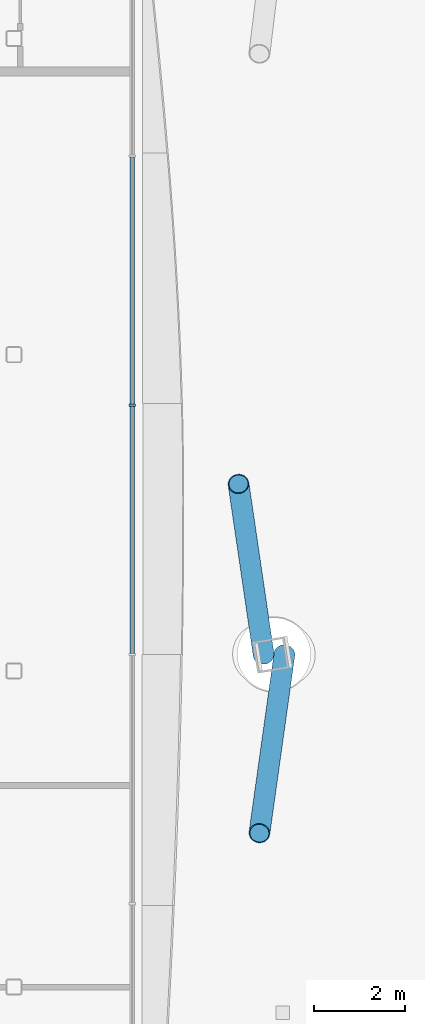
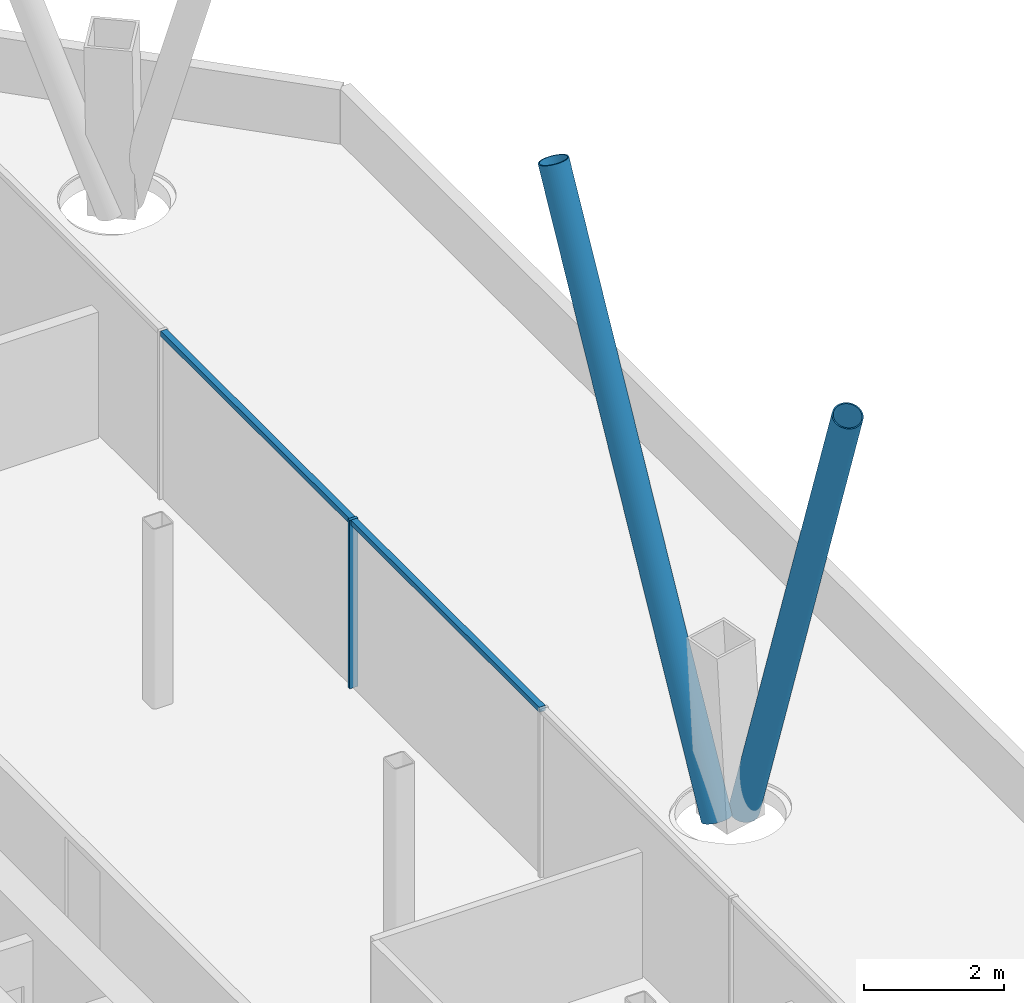
# One storey, part 8 of 21: 5 members, 1 element without a shape of its own.
"""IFC4 building model written with IfcOpenShell, lengths in metres."""

import ifcopenshell
import ifcopenshell.guid

model = None  # the IFC model being written
_history = None  # IfcOwnerHistory: only IFC2X3 demands one
_inside = {}  # id of a spatial element -> (the spatial element, [elements in it])
_under = {}  # id of a project, library or spatial element -> (it, [spatial elements below it])
_declared = {}  # id of a project -> (the project, [libraries it declares])
_typed = {}  # id of a type object -> (the type object, [elements of that type])
_made_of = {}  # id of a material, layer set ... -> (it, [elements and type objects made of it])


def new_model(schema):
    """Start an empty IFC model of exactly this schema.

    Asked for "IFC4X3", IfcOpenShell would pick the latest addendum, in which some entities
    have other attributes; the version numbers below select the first issue.
    IFC2X3 requires an IfcOwnerHistory on every rooted entity: one is made here for all.
    """
    global model, _history
    if schema == "IFC4X3":
        model = ifcopenshell.file(schema_version=(4, 3, 0, 0))
    else:
        model = ifcopenshell.file(schema=schema)
    _inside.clear()
    _under.clear()
    _declared.clear()
    _typed.clear()
    _made_of.clear()
    _history = None
    if model.schema == "IFC2X3":
        org = make("IfcOrganization", Name="unknown")
        user = make(
            "IfcPersonAndOrganization",
            ThePerson=make("IfcPerson", FamilyName="unknown"),
            TheOrganization=org,
        )
        app = make(
            "IfcApplication",
            ApplicationDeveloper=org,
            Version="unknown",
            ApplicationFullName="unknown",
            ApplicationIdentifier="unknown",
        )
        _history = make(
            "IfcOwnerHistory",
            OwningUser=user,
            OwningApplication=app,
            ChangeAction="ADDED",
            CreationDate=0,
        )
    return model


def make(cls, **values):
    """One entity of the class cls with the attributes given. An attribute that is None is left unset."""
    return model.create_entity(
        cls, **{name: value for name, value in values.items() if value is not None}
    )


def rooted(cls, **values):
    """An entity with a GlobalId (a new one), such as an element, a storey or a relation."""
    return make(cls, GlobalId=ifcopenshell.guid.new(), OwnerHistory=_history, **values)


def si_unit(unit_type, name, prefix=None):
    """IfcSIUnit, for example si_unit("LENGTHUNIT", "METRE", prefix="MILLI")."""
    return make("IfcSIUnit", UnitType=unit_type, Prefix=prefix, Name=name)


def assignment(units):
    """IfcUnitAssignment: the units of a project."""
    return None if units is None else make("IfcUnitAssignment", Units=units)


def point(xyz):
    """IfcCartesianPoint."""
    return None if xyz is None else make("IfcCartesianPoint", Coordinates=xyz)


def direction(xyz):
    """IfcDirection."""
    return None if xyz is None else make("IfcDirection", DirectionRatios=xyz)


def frame(location, z_axis=None, x_axis=None):
    """IfcAxis2Placement3D, a coordinate frame: its origin and axes. An axis left out is left unset."""
    return make(
        "IfcAxis2Placement3D",
        Location=point(location),
        Axis=direction(z_axis),
        RefDirection=direction(x_axis),
    )


def frame_2d(location, x_axis=None):
    """IfcAxis2Placement2D, a coordinate frame in the plane: its origin and x axis."""
    return make(
        "IfcAxis2Placement2D", Location=point(location), RefDirection=direction(x_axis)
    )


def origin():
    """The frame at (0, 0, 0) with its axes left unset."""
    return frame((0.0, 0.0, 0.0))


def origin_2d():
    """The frame at (0, 0) in the plane with its x axis left unset."""
    return frame_2d((0.0, 0.0))


def place(relative_to, where):
    """IfcLocalPlacement: puts the frame where relative to a parent placement (None: the world)."""
    return make(
        "IfcLocalPlacement", PlacementRelTo=relative_to, RelativePlacement=where
    )


def context(
    kind, dimensions, precision=None, world=None, true_north=None, identifier=None
):
    """IfcGeometricRepresentationContext, for example the 3D "Model" context."""
    return make(
        "IfcGeometricRepresentationContext",
        ContextIdentifier=identifier,
        ContextType=kind,
        CoordinateSpaceDimension=dimensions,
        Precision=precision,
        WorldCoordinateSystem=world,
        TrueNorth=true_north,
    )


def subcontext(parent, identifier, kind, view, scale=None):
    """IfcGeometricRepresentationSubContext, for example "Body" below "Model"."""
    return make(
        "IfcGeometricRepresentationSubContext",
        ContextIdentifier=identifier,
        ContextType=kind,
        ParentContext=parent,
        TargetScale=scale,
        TargetView=view,
    )


def project(units=None, contexts=None):
    """IfcProject with its units and contexts."""
    return rooted(
        "IfcProject",
        Name="project",
        RepresentationContexts=contexts,
        UnitsInContext=assignment(units),
    )


def spatial(cls, under=None, at=None, **own):
    """A site, building, storey or space (cls), placed at a placement, below another one or the project."""
    s = rooted(cls, ObjectPlacement=at, **own)
    if under is not None:
        _under.setdefault(under.id(), (under, []))[1].append(s)
    return s


def profile(cls, at=None, kind="AREA", **sizes):
    """A parametric profile (cls). Its sizes go by their IFC names, for example OverallWidth=200.0."""
    return make(cls, ProfileType=kind, Position=at, **sizes)


def rectangle(**sizes):
    """IfcRectangleProfileDef."""
    return profile("IfcRectangleProfileDef", **sizes)


def hollow_circle(**sizes):
    """IfcCircleHollowProfileDef."""
    return profile("IfcCircleHollowProfileDef", **sizes)


def extrude(swept, where, along, depth):
    """IfcExtrudedAreaSolid: the profile swept, set in the frame where, extruded along a direction by depth."""
    return make(
        "IfcExtrudedAreaSolid",
        SweptArea=swept,
        Position=where,
        ExtrudedDirection=direction(along),
        Depth=depth,
    )


def shape(context_of_items, identifier, shape_type, items):
    """IfcShapeRepresentation: the items that make up one representation, for example the "Body"."""
    return make(
        "IfcShapeRepresentation",
        ContextOfItems=context_of_items,
        RepresentationIdentifier=identifier,
        RepresentationType=shape_type,
        Items=items,
    )


def material(Name=None, Category=None):
    """IfcMaterial."""
    return make("IfcMaterial", Name=Name, Category=Category)


def material_profile(
    of_material, cross_section, Name=None, Category=None, Priority=None
):
    """IfcMaterialProfile: a cross section and its material."""
    return make(
        "IfcMaterialProfile",
        Name=Name,
        Material=of_material,
        Profile=cross_section,
        Priority=Priority,
        Category=Category,
    )


def profile_set(profiles, Name=None, composite=None):
    """IfcMaterialProfileSet."""
    return make(
        "IfcMaterialProfileSet",
        Name=Name,
        MaterialProfiles=profiles,
        CompositeProfile=composite,
    )


def made_of(thing, what):
    """Note that an element or type object is made of a material, layer set ...; save() writes the relation."""
    if what is not None:
        _made_of.setdefault(what.id(), (what, []))[1].append(thing)
    return thing


def type_object(cls, material=None, **own):
    """A type object (cls), such as IfcWallType, which elements share."""
    return made_of(rooted(cls, **own), material)


def element(
    cls,
    number,
    at=None,
    inside=None,
    cuts=None,
    type_object=None,
    material=None,
    context=None,
    identifier="Body",
    shape_type=None,
    held_by="IfcProductDefinitionShape",
    body=None,
    shapes=None,
    **own,
):
    """One element of the class cls, such as IfcWall. Its Tag is "e" and its number.

    at: its placement. inside: the storey or other place that contains it. cuts: it is an
    opening in that element (IfcRelVoidsElement). A single representation is given by context,
    identifier, shape_type and body (its items); several are given by shapes. held_by: the class
    of the entity that holds the representations. save() writes the other relations.
    """
    e = rooted(cls, Tag="e%d" % number, ObjectPlacement=at, **own)
    if body is not None:
        shapes = [shape(context, identifier, shape_type, body)]
    if shapes is not None:
        e.Representation = make(held_by, Representations=shapes)
    if inside is not None:
        _inside.setdefault(inside.id(), (inside, []))[1].append(e)
    if cuts is not None:
        rooted(
            "IfcRelVoidsElement", RelatingBuildingElement=cuts, RelatedOpeningElement=e
        )
    if type_object is not None:
        _typed.setdefault(type_object.id(), (type_object, []))[1].append(e)
    return made_of(e, material)


def aggregate(whole, parts):
    """IfcRelAggregates: a whole, such as a stair, and the parts it consists of."""
    return rooted("IfcRelAggregates", RelatingObject=whole, RelatedObjects=parts)


def save(model, path):
    """Write the relations noted so far, then the file.

    IfcRelAggregates (storeys below a building ...), IfcRelContainedInSpatialStructure (elements
    in a storey), IfcRelDefinesByType, IfcRelAssociatesMaterial and IfcRelDeclares: one each for
    every whole, place, type object, material and project.
    """
    for whole, parts in _under.values():
        aggregate(whole, parts)
    for where, things in _inside.values():
        rooted(
            "IfcRelContainedInSpatialStructure",
            RelatedElements=things,
            RelatingStructure=where,
        )
    for kind, things in _typed.values():
        rooted("IfcRelDefinesByType", RelatedObjects=things, RelatingType=kind)
    for what, things in _made_of.values():
        rooted("IfcRelAssociatesMaterial", RelatedObjects=things, RelatingMaterial=what)
    for by, libraries in _declared.values():
        rooted("IfcRelDeclares", RelatingContext=by, RelatedDefinitions=libraries)
    model.write(path)


model = new_model("IFC4")

# Units and contexts
model_context = context("Model", 3, precision=1e-05, world=origin(), true_north=direction((0.0, 1.0)))
body_context = subcontext(model_context, "Body", "Model", "MODEL_VIEW")
ifc_project = project(units=[si_unit("LENGTHUNIT", "METRE"), si_unit("AREAUNIT", "SQUARE_METRE"), si_unit("VOLUMEUNIT", "CUBIC_METRE"), si_unit("PLANEANGLEUNIT", "RADIAN"), si_unit("MASSUNIT", "GRAM", prefix="KILO")], contexts=[model_context])

# Site, building, storey
site_placement = place(None, origin())
site = spatial("IfcSite", under=ifc_project, at=site_placement, CompositionType="ELEMENT")
building_placement = place(site_placement, origin())
building = spatial("IfcBuilding", under=site, at=building_placement, Name="Tskaro Facet Tower", CompositionType="ELEMENT")
storey_placement = place(building_placement, frame((0.0, 0.0, 172.199951171875)))
storey = spatial("IfcBuildingStorey", under=building, at=storey_placement, Name="L42", CompositionType="ELEMENT", Elevation=172.199951171875)

# Members
ifc_material_1 = material(Name="Steel S355J2H", Category="steel")
ifc_material_profile_1 = material_profile(ifc_material_1, hollow_circle(Radius=0.228515625, WallThickness=0.02001953125, at=origin_2d()), Name="CHS 457x20")
ifc_profile_set_1 = profile_set([ifc_material_profile_1], Name="Steel S355J2H")
member_type_1 = type_object("IfcMemberType", Name="CHS 457x20 brace", PredefinedType="BRACE", material=ifc_profile_set_1)
member_1_placement = place(storey_placement, frame((21.50439453125, -1.43408203125, 0.0), z_axis=(-0.053464449865, -0.381974056658, 0.92262526122), x_axis=(0.990345989055, -0.138617538437, 0.0)))
element("IfcMember", 1, at=member_1_placement, inside=storey, type_object=member_type_1, Name="CHS 457x20 XB04B/4", PredefinedType="BRACE", context=body_context, shape_type="SweptSolid", body=[
    extrude(hollow_circle(Radius=0.228515625, WallThickness=0.02001953125, at=origin_2d()), origin(), (0.0, 0.0, 1.0), 10.242431640625),
])
member_2_placement = place(storey_placement, frame((21.047607421875, -1.43408203125, 0.0), z_axis=(-0.053841420227, 0.36686065743, 0.928716511912), x_axis=(-0.989401283409, -0.145207094831, 0.0)))
element("IfcMember", 2, at=member_2_placement, inside=storey, type_object=member_type_1, Name="CHS 457x20 XB05A/4", PredefinedType="BRACE", context=body_context, shape_type="SweptSolid", body=[
    extrude(hollow_circle(Radius=0.228515625, WallThickness=0.02001953125, at=origin_2d()), origin(), (0.0, 0.0, 1.0), 10.17529296875),
])

# Curtain wall, members
ifc_material_2 = material(Name="Bronze anodised aluminium 6063-T6", Category="aluminium")
curtain_wall_type = type_object("IfcCurtainWallType", Name="Bronze residence curtain wall (FW3)", PredefinedType="NOTDEFINED", material=ifc_material_2)
curtain_wall_placement = place(storey_placement, origin())
curtain_wall = element("IfcCurtainWall", 3, at=curtain_wall_placement, inside=storey, type_object=curtain_wall_type, Name="FW3 east facet L42", PredefinedType="NOTDEFINED")
ifc_material_profile_2 = material_profile(ifc_material_2, rectangle(XDim=0.050048828125, YDim=0.139892578125, at=origin_2d()), Name="Mullion 50x140")
ifc_profile_set_2 = profile_set([ifc_material_profile_2], Name="Bronze anodised aluminium 6063-T6")
member_type_2 = type_object("IfcMemberType", Name="FW3 bronze mullion 50x140", PredefinedType="MULLION", material=ifc_profile_set_2)
member_3_placement = place(storey_placement, frame((18.176025390625, 4.020751953125, 0.0), z_axis=(0.0, 0.0, 1.0), x_axis=(0.0, 1.0, 0.0)))
member_3 = element("IfcMember", 4, at=member_3_placement, type_object=member_type_2, Name="FW3 east mullion 4", PredefinedType="MULLION", context=body_context, shape_type="SweptSolid", body=[
    extrude(rectangle(XDim=0.050048828125, YDim=0.139892578125, at=origin_2d()), origin(), (0.0, 0.0, 1.0), 2.949951171875),
])
ifc_material_profile_3 = material_profile(ifc_material_2, rectangle(XDim=0.10009765625, YDim=0.090087890625, at=origin_2d()), Name="Transom 100x90")
ifc_profile_set_3 = profile_set([ifc_material_profile_3], Name="Bronze anodised aluminium 6063-T6")
member_type_3 = type_object("IfcMemberType", Name="FW3 bronze transom 100x90", PredefinedType="USERDEFINED", material=ifc_profile_set_3)
member_4_placement = place(storey_placement, frame((18.176025390625, -1.409423828125, 2.905029296875), z_axis=(0.0, 1.0, 0.0), x_axis=(-1.0, 0.0, 0.0)))
member_4 = element("IfcMember", 5, at=member_4_placement, type_object=member_type_3, Name="FW3 east transom 4.1", ObjectType="TRANSOM", PredefinedType="USERDEFINED", context=body_context, shape_type="SweptSolid", body=[
    extrude(rectangle(XDim=0.10009765625, YDim=0.090087890625, at=origin_2d()), origin(), (0.0, 0.0, 1.0), 5.405029296875),
])
member_5_placement = place(storey_placement, frame((18.176025390625, 4.045654296875, 2.905029296875), z_axis=(0.0, 1.0, 0.0), x_axis=(-1.0, 0.0, 0.0)))
member_5 = element("IfcMember", 6, at=member_5_placement, type_object=member_type_3, Name="FW3 east transom 5.1", ObjectType="TRANSOM", PredefinedType="USERDEFINED", context=body_context, shape_type="SweptSolid", body=[
    extrude(rectangle(XDim=0.10009765625, YDim=0.090087890625, at=origin_2d()), origin(), (0.0, 0.0, 1.0), 5.4052734375),
])
aggregate(curtain_wall, [member_3, member_4, member_5])

save(model, "model.ifc")
